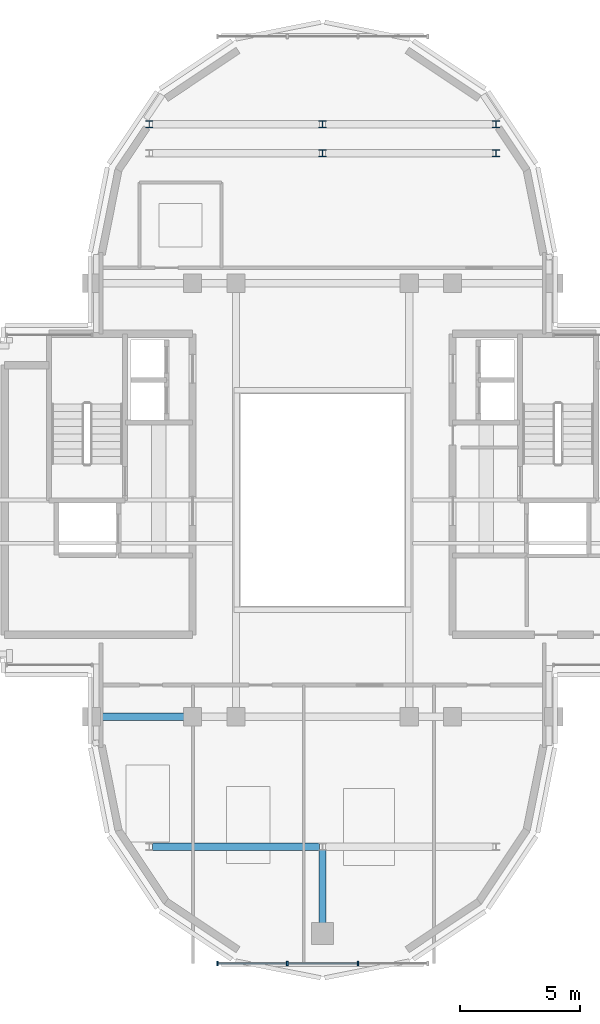
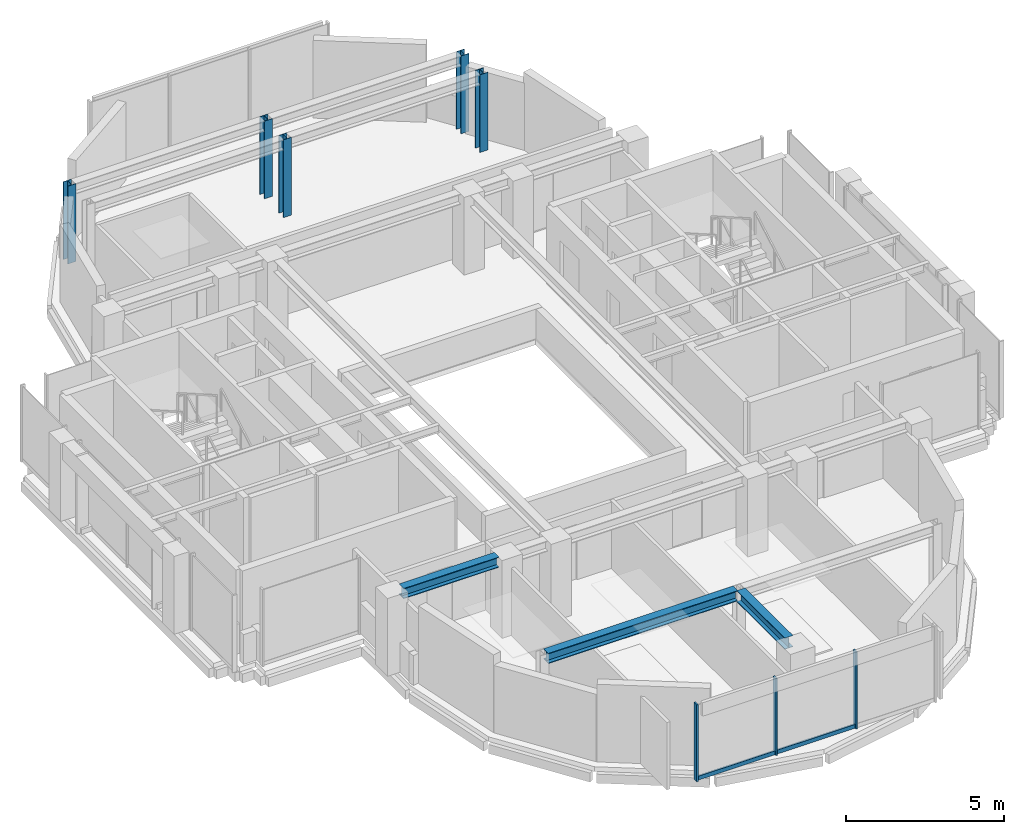
# One storey, part 2 of 11: 5 columns, 5 members, 3 beams, 1 element without a shape of its own.
"""IFC4 building model written with IfcOpenShell, lengths in metres."""

from ifc_helpers import new_model, si_unit, direction, frame, origin, origin_2d, place, context, subcontext, project, spatial, rectangle, i_section, extrude, source, transform, mapped, material, material_profile, profile_set, type_object, element, aggregate, save


model = new_model("IFC4")

# Units and contexts
model_context = context("Model", 3, precision=1e-05, world=origin(), true_north=direction((0.0, 1.0)))
body_context = subcontext(model_context, "Body", "Model", "MODEL_VIEW")
ifc_project = project(units=[si_unit("LENGTHUNIT", "METRE"), si_unit("AREAUNIT", "SQUARE_METRE"), si_unit("VOLUMEUNIT", "CUBIC_METRE"), si_unit("PLANEANGLEUNIT", "RADIAN"), si_unit("MASSUNIT", "GRAM", prefix="KILO")], contexts=[model_context])

# Site, building, storey
site_placement = place(None, origin())
site = spatial("IfcSite", under=ifc_project, at=site_placement, CompositionType="ELEMENT")
building_placement = place(site_placement, origin())
building = spatial("IfcBuilding", under=site, at=building_placement, Name="Keilestroom Media Tower", CompositionType="ELEMENT")
storey_placement = place(building_placement, frame((0.0, 0.0, 265.199951171875)))
storey = spatial("IfcBuildingStorey", under=building, at=storey_placement, Name="L74", CompositionType="ELEMENT", Elevation=265.199951171875)

# Columns
ifc_material_1 = material(Name="Steel S355", Category="steel")
ifc_material_profile_1 = material_profile(ifc_material_1, i_section(OverallWidth=0.300048828125, OverallDepth=0.300048828125, WebThickness=0.010986328125, FlangeThickness=0.01904296875, at=origin_2d()), Name="HEB 300")
ifc_profile_set_1 = profile_set([ifc_material_profile_1], Name="Steel S355")
column_type = type_object("IfcColumnType", Name="Structural-Column-HEB-300", PredefinedType="COLUMN", material=ifc_profile_set_1)
shared_shape_1 = source(origin(), body_context, "Body", "SweptSolid", [
    extrude(i_section(OverallWidth=0.300048828125, OverallDepth=0.300048828125, WebThickness=0.010986328125, FlangeThickness=0.01904296875, at=origin_2d()), origin(), (0.0, 0.0, 1.0), 3.010009765625),
])
for number, where, z_axis, x_axis, name in (
    (1, (-7.199951171875, 15.60009765625, 0.0), (0.0, 0.0, 1.0), (1.0, 0.0, 0.0), "L74 Column SC-5 (-7.2,+15.6)"),
    (2, (0.0, 14.39990234375, 0.0), (0.0, 0.0, 1.0), (1.0, 0.0, 0.0), "L74 Column SC-5 (+0.0,+14.4)"),
    (3, (0.0, 15.60009765625, 0.0), (0.0, 0.0, 1.0), (1.0, 0.0, 0.0), "L74 Column SC-5 (+0.0,+15.6)"),
    (4, (7.199951171875, 14.39990234375, 0.0), (0.0, 0.0, 1.0), (1.0, 0.0, 0.0), "L74 Column SC-5 (+7.2,+14.4)"),
    (5, (7.199951171875, 15.60009765625, 0.0), (0.0, 0.0, 1.0), (1.0, 0.0, 0.0), "L74 Column SC-5 (+7.2,+15.6)"),
):
    element("IfcColumn", number, at=place(storey_placement, frame(where, z_axis=z_axis, x_axis=x_axis)), inside=storey, type_object=column_type, Name=name, PredefinedType="COLUMN", context=body_context, shape_type="MappedRepresentation", body=[
        mapped(shared_shape_1, transform((0.0, 0.0, 0.0), x_axis=(1.0, 0.0, 0.0), y_axis=(0.0, 1.0, 0.0), z_axis=(0.0, 0.0, 1.0), scale=1.0)),
    ])

# Beams
ifc_material_profile_2 = material_profile(ifc_material_1, i_section(OverallWidth=0.300048828125, OverallDepth=0.39990234375, WebThickness=0.011474609375, FlangeThickness=0.02392578125, at=origin_2d()), Name="HEB 400")
ifc_profile_set_2 = profile_set([ifc_material_profile_2], Name="Steel S355")
beam_type_1 = type_object("IfcBeamType", Name="Primary-Structural-Girder-HEB-400", PredefinedType="BEAM", material=ifc_profile_set_2)
shared_shape_2 = source(origin(), body_context, "Body", "SweptSolid", [
    extrude(i_section(OverallWidth=0.300048828125, OverallDepth=0.39990234375, WebThickness=0.011474609375, FlangeThickness=0.02392578125, at=origin_2d()), origin(), (0.0, 0.0, 1.0), 6.940185546875),
])
beam_1_placement = place(storey_placement, frame((-7.070068359375, -14.39990234375, 2.81005859375), z_axis=(1.0, 0.0, 0.0), x_axis=(0.0, 1.0, 0.0)))
element("IfcBeam", 6, at=beam_1_placement, inside=storey, type_object=beam_type_1, Name="L74 Beam BG-8 BM-L74-EW-001", PredefinedType="BEAM", context=body_context, shape_type="MappedRepresentation", body=[
    mapped(shared_shape_2, transform((0.0, 0.0, 0.0), x_axis=(1.0, 0.0, 0.0), y_axis=(0.0, 1.0, 0.0), z_axis=(0.0, 0.0, 1.0), scale=1.0)),
])
shared_shape_3 = source(origin(), body_context, "Body", "SweptSolid", [
    extrude(i_section(OverallWidth=0.300048828125, OverallDepth=0.39990234375, WebThickness=0.011474609375, FlangeThickness=0.02392578125, at=origin_2d()), origin(), (0.0, 0.0, 1.0), 3.490234375),
])
beam_2_placement = place(storey_placement, frame((-9.2451171875, -9.0, 2.81005859375), z_axis=(1.0, 0.0, 0.0), x_axis=(0.0, 1.0, 0.0)))
element("IfcBeam", 7, at=beam_2_placement, inside=storey, type_object=beam_type_1, Name="L74 Beam BG-8 BM-L74-EW-003", PredefinedType="BEAM", context=body_context, shape_type="MappedRepresentation", body=[
    mapped(shared_shape_3, transform((0.0, 0.0, 0.0), x_axis=(1.0, 0.0, 0.0), y_axis=(0.0, 1.0, 0.0), z_axis=(0.0, 0.0, 1.0), scale=1.0)),
])
ifc_material_profile_3 = material_profile(ifc_material_1, i_section(OverallWidth=0.300048828125, OverallDepth=0.43994140625, WebThickness=0.011474609375, FlangeThickness=0.02099609375, at=origin_2d()), Name="HEA 450")
ifc_profile_set_3 = profile_set([ifc_material_profile_3], Name="Steel S355")
beam_type_2 = type_object("IfcBeamType", Name="Primary-Structural-Girder-HEA-450", PredefinedType="BEAM", material=ifc_profile_set_3)
shared_shape_4 = source(origin(), body_context, "Body", "SweptSolid", [
    extrude(i_section(OverallWidth=0.300048828125, OverallDepth=0.43994140625, WebThickness=0.011474609375, FlangeThickness=0.02099609375, at=origin_2d()), origin(), (0.0, 0.0, 1.0), 3.0400390625),
])
beam_3_placement = place(storey_placement, frame((0.0, -17.570068359375, 2.7900390625), z_axis=(0.0, 1.0, 0.0), x_axis=(-1.0, 0.0, 0.0)))
element("IfcBeam", 8, at=beam_3_placement, inside=storey, type_object=beam_type_2, Name="L74 Beam BG-11 BM-L74-NS-022", PredefinedType="BEAM", context=body_context, shape_type="MappedRepresentation", body=[
    mapped(shared_shape_4, transform((0.0, 0.0, 0.0), x_axis=(1.0, 0.0, 0.0), y_axis=(0.0, 1.0, 0.0), z_axis=(0.0, 0.0, 1.0), scale=1.0)),
])

# Curtain wall, members
ifc_material_2 = material(Name="Anodised Aluminium Alloy", Category="aluminium")
curtain_wall_type = type_object("IfcCurtainWallType", Name="Unitised-Curtain-Wall-CW-6", PredefinedType="NOTDEFINED", material=ifc_material_2)
curtain_wall_placement = place(storey_placement, origin())
curtain_wall = element("IfcCurtainWall", 9, at=curtain_wall_placement, inside=storey, type_object=curtain_wall_type, Name="L74 Curtain Wall CW-6 CW-L74-LS-1", PredefinedType="NOTDEFINED")
ifc_material_profile_4 = material_profile(ifc_material_2, rectangle(XDim=0.06494140625, YDim=0.179931640625, at=origin_2d()), Name="ALU MULLION 65x180")
ifc_profile_set_4 = profile_set([ifc_material_profile_4], Name="Anodised Aluminium Alloy")
member_type_1 = type_object("IfcMemberType", Name="Curtain-Wall-Mullion-CW-6", PredefinedType="MULLION", material=ifc_profile_set_4)
shared_shape_5 = source(origin(), body_context, "Body", "SweptSolid", [
    extrude(rectangle(XDim=0.06494140625, YDim=0.179931640625, at=origin_2d()), origin(), (0.0, 0.0, 1.0), 2.97998046875),
])
member_1_placement = place(storey_placement, frame((-4.367431640625, -19.25, 0.0), z_axis=(0.0, 0.0, 1.0), x_axis=(1.0, 0.0, 0.0)))
member_1 = element("IfcMember", 10, at=member_1_placement, type_object=member_type_1, Name="CW-6 Mullion 00", PredefinedType="MULLION", context=body_context, shape_type="MappedRepresentation", body=[
    mapped(shared_shape_5, transform((0.0, 0.0, 0.0), x_axis=(1.0, 0.0, 0.0), y_axis=(0.0, 1.0, 0.0), z_axis=(0.0, 0.0, 1.0), scale=1.0)),
])
member_2_placement = place(storey_placement, frame((-1.466796875, -19.25, 0.0), z_axis=(0.0, 0.0, 1.0), x_axis=(1.0, 0.0, 0.0)))
member_2 = element("IfcMember", 11, at=member_2_placement, type_object=member_type_1, Name="CW-6 Mullion 01", PredefinedType="MULLION", context=body_context, shape_type="MappedRepresentation", body=[
    mapped(shared_shape_5, transform((0.0, 0.0, 0.0), x_axis=(1.0, 0.0, 0.0), y_axis=(0.0, 1.0, 0.0), z_axis=(0.0, 0.0, 1.0), scale=1.0)),
])
member_3_placement = place(storey_placement, frame((1.466796875, -19.25, 0.0), z_axis=(0.0, 0.0, 1.0), x_axis=(1.0, 0.0, 0.0)))
member_3 = element("IfcMember", 12, at=member_3_placement, type_object=member_type_1, Name="CW-6 Mullion 02", PredefinedType="MULLION", context=body_context, shape_type="MappedRepresentation", body=[
    mapped(shared_shape_5, transform((0.0, 0.0, 0.0), x_axis=(1.0, 0.0, 0.0), y_axis=(0.0, 1.0, 0.0), z_axis=(0.0, 0.0, 1.0), scale=1.0)),
])
ifc_material_profile_5 = material_profile(ifc_material_2, rectangle(XDim=0.06494140625, YDim=0.14990234375, at=origin_2d()), Name="ALU TRANSOM 65x150")
ifc_profile_set_5 = profile_set([ifc_material_profile_5], Name="Anodised Aluminium Alloy")
member_type_2 = type_object("IfcMemberType", Name="Curtain-Wall-Transom-CW-6", PredefinedType="USERDEFINED", material=ifc_profile_set_5)
shared_shape_6 = source(origin(), body_context, "Body", "SweptSolid", [
    extrude(rectangle(XDim=0.06494140625, YDim=0.14990234375, at=origin_2d()), origin(), (0.0, 0.0, 1.0), 2.839599609375),
])
member_4_placement = place(storey_placement, frame((-4.3369140625, -19.25, 0.074951171875), z_axis=(1.0, 0.0, 0.0), x_axis=(0.0, 1.0, 0.0)))
member_4 = element("IfcMember", 13, at=member_4_placement, type_object=member_type_2, Name="CW-6 Transom 00.1", ObjectType="TRANSOM", PredefinedType="USERDEFINED", context=body_context, shape_type="MappedRepresentation", body=[
    mapped(shared_shape_6, transform((0.0, 0.0, 0.0), x_axis=(1.0, 0.0, 0.0), y_axis=(0.0, 1.0, 0.0), z_axis=(0.0, 0.0, 1.0), scale=1.0)),
])
shared_shape_7 = source(origin(), body_context, "Body", "SweptSolid", [
    extrude(rectangle(XDim=0.06494140625, YDim=0.14990234375, at=origin_2d()), origin(), (0.0, 0.0, 1.0), 2.87255859375),
])
member_5_placement = place(storey_placement, frame((-1.436279296875, -19.25, 0.074951171875), z_axis=(1.0, 0.0, 0.0), x_axis=(0.0, 1.0, 0.0)))
member_5 = element("IfcMember", 14, at=member_5_placement, type_object=member_type_2, Name="CW-6 Transom 01.1", ObjectType="TRANSOM", PredefinedType="USERDEFINED", context=body_context, shape_type="MappedRepresentation", body=[
    mapped(shared_shape_7, transform((0.0, 0.0, 0.0), x_axis=(1.0, 0.0, 0.0), y_axis=(0.0, 1.0, 0.0), z_axis=(0.0, 0.0, 1.0), scale=1.0)),
])
aggregate(curtain_wall, [member_1, member_2, member_3, member_4, member_5])

save(model, "model.ifc")
